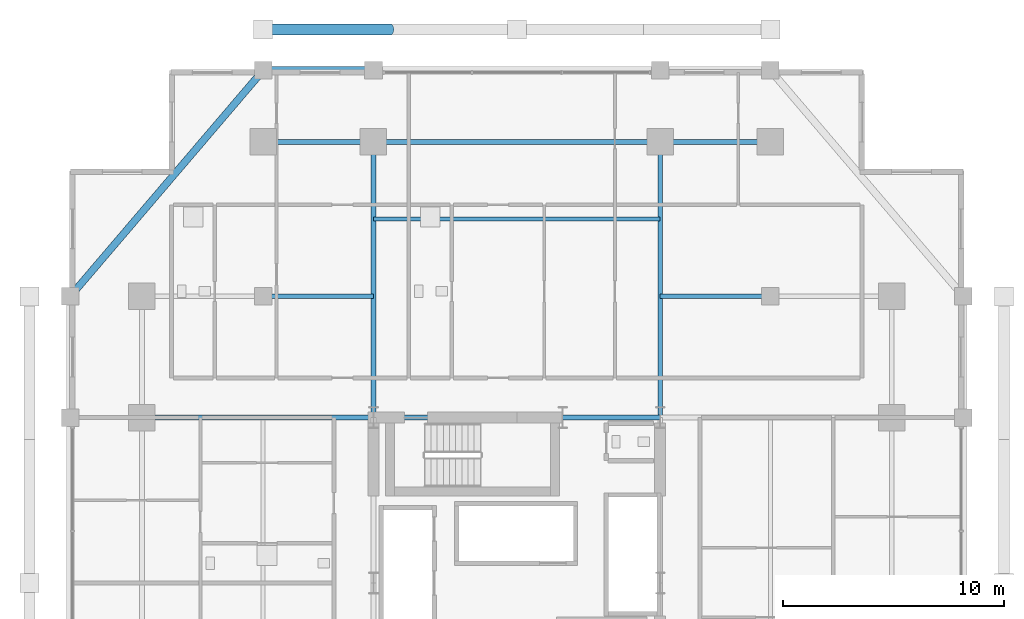
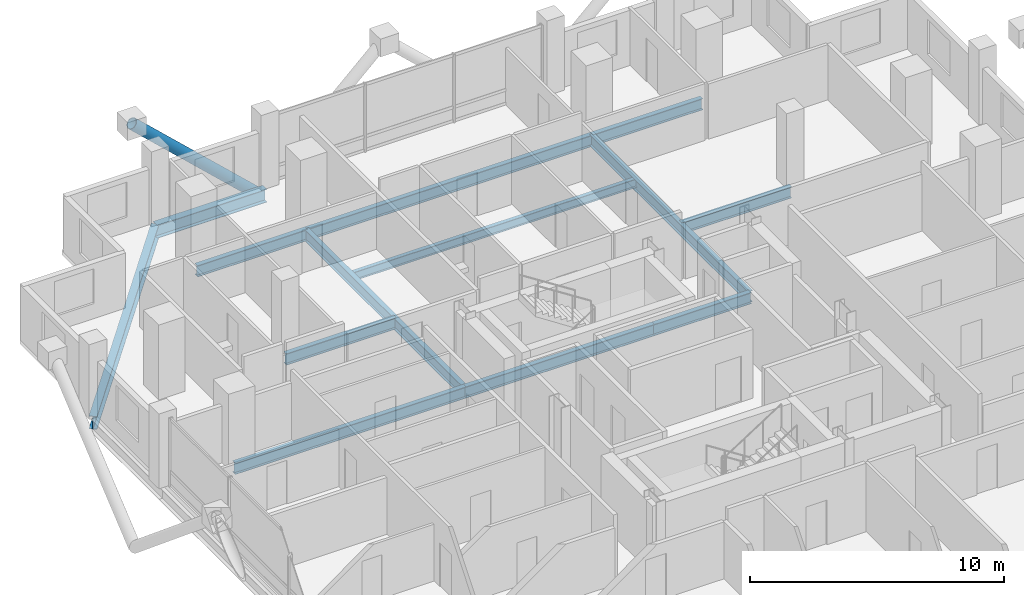
# One storey, part 12 of 23: 13 beams, 1 member.
"""IFC4 building model written with IfcOpenShell, lengths in metres."""

from ifc_helpers import new_model, si_unit, direction, frame, origin, origin_2d, place, context, subcontext, project, spatial, hollow_circle, i_section, extrude, material, material_profile, profile_set, type_object, element, save


model = new_model("IFC4")

# Units and contexts
model_context = context("Model", 3, precision=1e-05, world=origin(), true_north=direction((0.0, 1.0)))
body_context = subcontext(model_context, "Body", "Model", "MODEL_VIEW")
ifc_project = project(units=[si_unit("LENGTHUNIT", "METRE"), si_unit("AREAUNIT", "SQUARE_METRE"), si_unit("VOLUMEUNIT", "CUBIC_METRE"), si_unit("PLANEANGLEUNIT", "RADIAN"), si_unit("MASSUNIT", "GRAM", prefix="KILO")], contexts=[model_context])

# Site, building, storey
site_placement = place(None, origin())
site = spatial("IfcSite", under=ifc_project, at=site_placement, CompositionType="ELEMENT")
building_placement = place(site_placement, origin())
building = spatial("IfcBuilding", under=site, at=building_placement, Name="Barlavira Tower and Art Museum", CompositionType="ELEMENT")
storey_placement = place(building_placement, frame((0.0, 0.0, 117.0)))
storey = spatial("IfcBuildingStorey", under=building, at=storey_placement, Name="L29", CompositionType="ELEMENT", Elevation=117.0)

# Member
ifc_material = material(Name="Steel S355", Category="steel")
ifc_material_profile_1 = material_profile(ifc_material, hollow_circle(Radius=0.25390625, WallThickness=0.022216796875, at=origin_2d()), Name="CHS 508.0x22.2")
ifc_profile_set_1 = profile_set([ifc_material_profile_1], Name="Steel S355")
member_type = type_object("IfcMemberType", Name="Pale-Metal Exoskeleton Diagrid Tube CHS 508x22 Steel S355", PredefinedType="BRACE", material=ifc_profile_set_1)
member_placement = place(storey_placement, frame((-5.75, 25.10009765625, -1.919921875), z_axis=(-0.728950095515, 0.0, 0.684566839869), x_axis=(0.0, -1.0, 0.0)))
element("IfcMember", 1, at=member_placement, inside=storey, type_object=member_type, Name="L29 Exoskeleton Diagrid Tube N", PredefinedType="BRACE", context=body_context, shape_type="SweptSolid", body=[
    extrude(hollow_circle(Radius=0.25390625, WallThickness=0.022216796875, at=origin_2d()), origin(), (0.0, 0.0, 1.0), 7.887939453125),
])

# Beams
ifc_material_profile_2 = material_profile(ifc_material, i_section(OverallWidth=0.327880859375, OverallDepth=0.62890625, WebThickness=0.013916015625, FlangeThickness=0.021484375, at=origin_2d()), Name="W610x174.0")
ifc_profile_set_2 = profile_set([ifc_material_profile_2], Name="Steel S355")
beam_type_1 = type_object("IfcBeamType", Name="Perimeter Spandrel Edge Beam W610x174 Steel S355", PredefinedType="SPANDREL", material=ifc_profile_set_2)
beam_1_placement = place(storey_placement, frame((-11.5, 23.25, -0.534423828125), z_axis=(1.0, 0.0, 0.0), x_axis=(0.0, 1.0, 0.0)))
element("IfcBeam", 2, at=beam_1_placement, inside=storey, type_object=beam_type_1, Name="L29 Spandrel 11", PredefinedType="SPANDREL", context=body_context, shape_type="SweptSolid", body=[
    extrude(i_section(OverallWidth=0.327880859375, OverallDepth=0.62890625, WebThickness=0.013916015625, FlangeThickness=0.021484375, at=origin_2d()), origin(), (0.0, 0.0, 1.0), 5.0),
])
beam_2_placement = place(storey_placement, frame((-11.5, 23.25, -0.534423828125), z_axis=(-0.649262379928, -0.760564502202, 0.0), x_axis=(0.760564502202, -0.649262379928, 0.0)))
element("IfcBeam", 3, at=beam_2_placement, inside=storey, type_object=beam_type_1, Name="L29 Spandrel 12", PredefinedType="SPANDREL", context=body_context, shape_type="SweptSolid", body=[
    extrude(i_section(OverallWidth=0.327880859375, OverallDepth=0.62890625, WebThickness=0.013916015625, FlangeThickness=0.021484375, at=origin_2d()), origin(), (0.0, 0.0, 1.0), 13.476806640625),
])
ifc_material_profile_3 = material_profile(ifc_material, i_section(OverallWidth=0.214111328125, OverallDepth=0.549072265625, WebThickness=0.0146484375, FlangeThickness=0.023681640625, at=origin_2d()), Name="W530x138.0")
ifc_profile_set_3 = profile_set([ifc_material_profile_3], Name="Steel S355")
beam_type_2 = type_object("IfcBeamType", Name="Zone 1 Primary Floor Girder W530x138 Steel S355", PredefinedType="BEAM", material=ifc_profile_set_3)
beam_3_placement = place(storey_placement, frame((-6.5, 7.5, -0.494384765625), z_axis=(1.0, 0.0, 0.0), x_axis=(0.0, 1.0, 0.0)))
element("IfcBeam", 4, at=beam_3_placement, inside=storey, type_object=beam_type_2, Name="L29 Girder C-N1", PredefinedType="BEAM", context=body_context, shape_type="SweptSolid", body=[
    extrude(i_section(OverallWidth=0.214111328125, OverallDepth=0.549072265625, WebThickness=0.0146484375, FlangeThickness=0.023681640625, at=origin_2d()), origin(), (0.0, 0.0, 1.0), 8.580078125),
])
beam_4_placement = place(storey_placement, frame((2.080078125, 7.5, -0.494384765625), z_axis=(1.0, 0.0, 0.0), x_axis=(0.0, 1.0, 0.0)))
element("IfcBeam", 5, at=beam_4_placement, inside=storey, type_object=beam_type_2, Name="L29 Girder C-N2", PredefinedType="BEAM", context=body_context, shape_type="SweptSolid", body=[
    extrude(i_section(OverallWidth=0.214111328125, OverallDepth=0.549072265625, WebThickness=0.0146484375, FlangeThickness=0.023681640625, at=origin_2d()), origin(), (0.0, 0.0, 1.0), 4.419921875),
])
beam_5_placement = place(storey_placement, frame((-11.5, 20.0, -0.494384765625), z_axis=(1.0, 0.0, 0.0), x_axis=(0.0, 1.0, 0.0)))
element("IfcBeam", 6, at=beam_5_placement, inside=storey, type_object=beam_type_2, Name="L29 Girder M-N1", PredefinedType="BEAM", context=body_context, shape_type="SweptSolid", body=[
    extrude(i_section(OverallWidth=0.214111328125, OverallDepth=0.549072265625, WebThickness=0.0146484375, FlangeThickness=0.023681640625, at=origin_2d()), origin(), (0.0, 0.0, 1.0), 5.0),
])
beam_6_placement = place(storey_placement, frame((-6.5, 20.0, -0.494384765625), z_axis=(1.0, 0.0, 0.0), x_axis=(0.0, 1.0, 0.0)))
element("IfcBeam", 7, at=beam_6_placement, inside=storey, type_object=beam_type_2, Name="L29 Girder M-N2", PredefinedType="BEAM", context=body_context, shape_type="SweptSolid", body=[
    extrude(i_section(OverallWidth=0.214111328125, OverallDepth=0.549072265625, WebThickness=0.0146484375, FlangeThickness=0.023681640625, at=origin_2d()), origin(), (0.0, 0.0, 1.0), 13.0),
])
beam_7_placement = place(storey_placement, frame((6.5, 20.0, -0.494384765625), z_axis=(1.0, 0.0, 0.0), x_axis=(0.0, 1.0, 0.0)))
element("IfcBeam", 8, at=beam_7_placement, inside=storey, type_object=beam_type_2, Name="L29 Girder M-N3", PredefinedType="BEAM", context=body_context, shape_type="SweptSolid", body=[
    extrude(i_section(OverallWidth=0.214111328125, OverallDepth=0.549072265625, WebThickness=0.0146484375, FlangeThickness=0.023681640625, at=origin_2d()), origin(), (0.0, 0.0, 1.0), 5.0),
])
for number, where, z_axis, x_axis, name in (
    (9, (-6.5, 7.5, -0.494384765625), (0.0, 1.0, 0.0), (-1.0, 0.0, 0.0), "L29 Girder R-N1"),
    (10, (6.5, 7.5, -0.494384765625), (0.0, 1.0, 0.0), (-1.0, 0.0, 0.0), "L29 Girder R-N2"),
):
    element("IfcBeam", number, at=place(storey_placement, frame(where, z_axis=z_axis, x_axis=x_axis)), inside=storey, type_object=beam_type_2, Name=name, PredefinedType="BEAM", context=body_context, shape_type="SweptSolid", body=[
        extrude(i_section(OverallWidth=0.214111328125, OverallDepth=0.549072265625, WebThickness=0.0146484375, FlangeThickness=0.023681640625, at=origin_2d()), origin(), (0.0, 0.0, 1.0), 12.5),
    ])
beam_8_placement = place(storey_placement, frame((-17.0, 7.5, -0.494384765625), z_axis=(1.0, 0.0, 0.0), x_axis=(0.0, 1.0, 0.0)))
element("IfcBeam", 11, at=beam_8_placement, inside=storey, type_object=beam_type_2, Name="L29 Girder R-W2", PredefinedType="BEAM", context=body_context, shape_type="SweptSolid", body=[
    extrude(i_section(OverallWidth=0.214111328125, OverallDepth=0.549072265625, WebThickness=0.0146484375, FlangeThickness=0.023681640625, at=origin_2d()), origin(), (0.0, 0.0, 1.0), 10.5),
])
for number, where, z_axis, x_axis, name in (
    (12, (-11.5, 13.0, -0.494384765625), (1.0, 0.0, 0.0), (0.0, 1.0, 0.0), "L29 Girder I-N2"),
    (13, (6.5, 13.0, -0.494384765625), (1.0, 0.0, 0.0), (0.0, 1.0, 0.0), "L29 Girder I-N3"),
):
    element("IfcBeam", number, at=place(storey_placement, frame(where, z_axis=z_axis, x_axis=x_axis)), inside=storey, type_object=beam_type_2, Name=name, PredefinedType="BEAM", context=body_context, shape_type="SweptSolid", body=[
        extrude(i_section(OverallWidth=0.214111328125, OverallDepth=0.549072265625, WebThickness=0.0146484375, FlangeThickness=0.023681640625, at=origin_2d()), origin(), (0.0, 0.0, 1.0), 5.0),
    ])
ifc_material_profile_4 = material_profile(ifc_material, i_section(OverallWidth=0.179931640625, OverallDepth=0.4130859375, WebThickness=0.009765625, FlangeThickness=0.01611328125, at=origin_2d()), Name="W410x75.0")
ifc_profile_set_4 = profile_set([ifc_material_profile_4], Name="Steel S355")
beam_type_3 = type_object("IfcBeamType", Name="Zone 2 Composite Floor Joist W410x75 Steel S355", PredefinedType="JOIST", material=ifc_profile_set_4)
beam_9_placement = place(storey_placement, frame((-6.5, 16.5, -0.426513671875), z_axis=(1.0, 0.0, 0.0), x_axis=(0.0, 1.0, 0.0)))
element("IfcBeam", 14, at=beam_9_placement, inside=storey, type_object=beam_type_3, Name="L29 Joist C2", PredefinedType="JOIST", context=body_context, shape_type="SweptSolid", body=[
    extrude(i_section(OverallWidth=0.179931640625, OverallDepth=0.4130859375, WebThickness=0.009765625, FlangeThickness=0.01611328125, at=origin_2d()), origin(), (0.0, 0.0, 1.0), 13.0),
])

save(model, "model.ifc")
